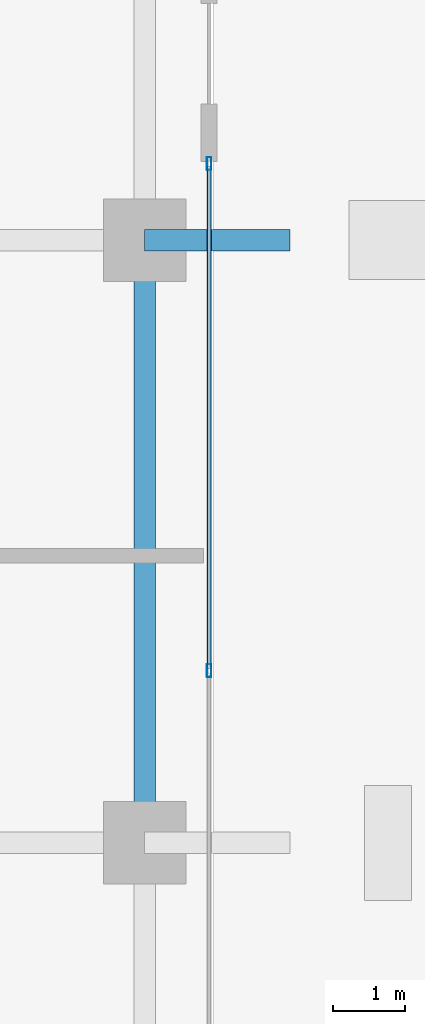
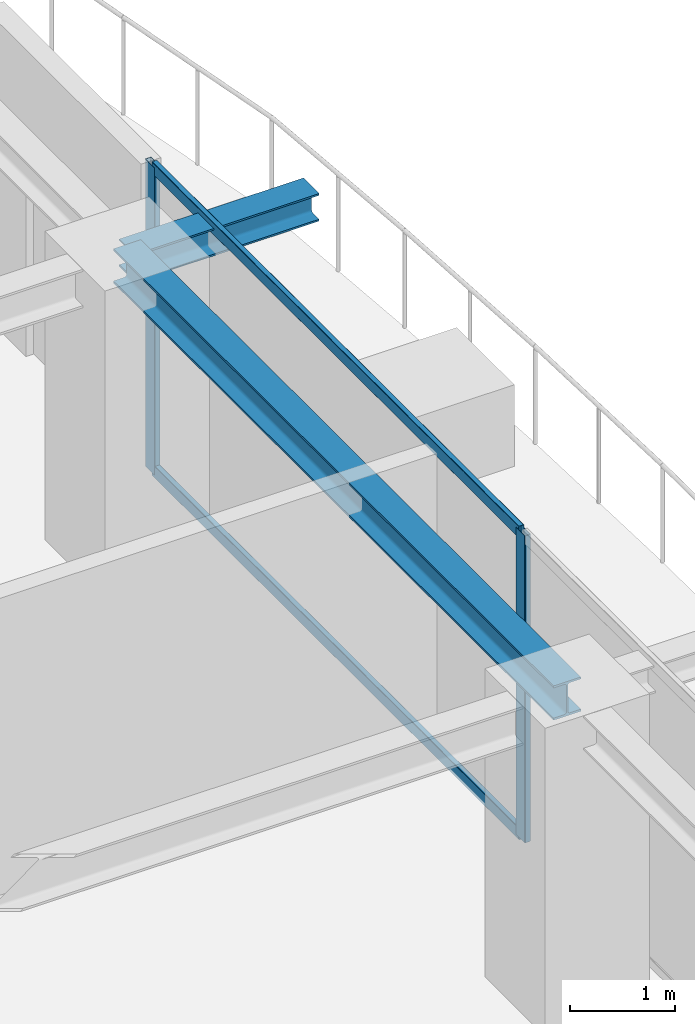
# One storey, part 15 of 37: 4 members, 2 beams, 1 element without a shape of its own.
"""IFC4 building model written with IfcOpenShell, lengths in metres."""

from ifc_helpers import new_model, si_unit, direction, frame, origin, origin_2d, place, context, subcontext, project, spatial, hollow_rectangle, i_section, extrude, source, transform, mapped, material, layer, layer_set, material_profile, profile_set, type_object, element, aggregate, save


model = new_model("IFC4")

# Units and contexts
model_context = context("Model", 3, precision=1e-05, world=origin(), true_north=direction((0.0, 1.0)))
body_context = subcontext(model_context, "Body", "Model", "MODEL_VIEW")
ifc_project = project(units=[si_unit("LENGTHUNIT", "METRE"), si_unit("AREAUNIT", "SQUARE_METRE"), si_unit("VOLUMEUNIT", "CUBIC_METRE"), si_unit("PLANEANGLEUNIT", "RADIAN"), si_unit("MASSUNIT", "GRAM", prefix="KILO")], contexts=[model_context])

# Site, building, storey
site_placement = place(None, origin())
site = spatial("IfcSite", under=ifc_project, at=site_placement, CompositionType="ELEMENT")
building_placement = place(site_placement, origin())
building = spatial("IfcBuilding", under=site, at=building_placement, Name="Serunith Strait Residences", CompositionType="ELEMENT")
storey_placement = place(building_placement, frame((0.0, 0.0, 279.75)))
storey = spatial("IfcBuildingStorey", under=building, at=storey_placement, Name="L70", CompositionType="ELEMENT", Elevation=279.75)

# Beams
ifc_material_1 = material(Name="Steel S355J2", Category="steel")
ifc_material_profile_1 = material_profile(ifc_material_1, i_section(OverallWidth=0.300048828125, OverallDepth=0.39990234375, WebThickness=0.013427734375, FlangeThickness=0.02392578125, FilletRadius=0.027099609375, at=origin_2d()), Name="HEB 400")
ifc_profile_set_1 = profile_set([ifc_material_profile_1], Name="Steel S355J2")
beam_type_1 = type_object("IfcBeamType", Name="BM-HEB400", PredefinedType="BEAM", material=ifc_profile_set_1)
shared_shape_1 = source(origin(), body_context, "Body", "SweptSolid", [
    extrude(i_section(OverallWidth=0.300048828125, OverallDepth=0.39990234375, WebThickness=0.013427734375, FlangeThickness=0.02392578125, FilletRadius=0.027099609375, at=origin_2d()), origin(), (0.0, 0.0, 1.0), 8.39990234375),
])
beam_1_placement = place(storey_placement, frame((56.5, 21.0, 3.386962890625), z_axis=(0.0, 1.0, 0.0), x_axis=(-1.0, 0.0, 0.0)))
element("IfcBeam", 1, at=beam_1_placement, inside=storey, type_object=beam_type_1, Name="L70 Perimeter Ring Beam 06", PredefinedType="BEAM", context=body_context, shape_type="MappedRepresentation", body=[
    mapped(shared_shape_1, transform((0.0, 0.0, 0.0), scale=1.0)),
])
ifc_material_profile_2 = material_profile(ifc_material_1, i_section(OverallWidth=0.300048828125, OverallDepth=0.320068359375, WebThickness=0.011474609375, FlangeThickness=0.0205078125, FilletRadius=0.027099609375, at=origin_2d()), Name="HEB 320")
ifc_profile_set_2 = profile_set([ifc_material_profile_2], Name="Steel S355J2")
beam_type_2 = type_object("IfcBeamType", Name="BM-HEB320", PredefinedType="BEAM", material=ifc_profile_set_2)
shared_shape_2 = source(origin(), body_context, "Body", "SweptSolid", [
    extrude(i_section(OverallWidth=0.300048828125, OverallDepth=0.320068359375, WebThickness=0.011474609375, FlangeThickness=0.0205078125, FilletRadius=0.027099609375, at=origin_2d()), origin(), (0.0, 0.0, 1.0), 2.030029296875),
])
beam_2_placement = place(storey_placement, frame((56.5, 29.39990234375, 3.39697265625), z_axis=(1.0, 0.0, 0.0), x_axis=(0.0, 1.0, 0.0)))
element("IfcBeam", 2, at=beam_2_placement, inside=storey, type_object=beam_type_2, Name="L71 Cantilevered Balcony Rib TC-E3", PredefinedType="BEAM", context=body_context, shape_type="MappedRepresentation", body=[
    mapped(shared_shape_2, transform((0.0, 0.0, 0.0), scale=1.0)),
])

# Curtain wall, members
ifc_material_2 = material(Name="Pale-Champagne Anodised Aluminium", Category="aluminium")
ifc_layer = layer(ifc_material_2, 0.199951171875, Name="Pale-Champagne Anodised Aluminium")
ifc_layer_set = layer_set([ifc_layer], Name="Pale-Champagne Anodised Aluminium")
curtain_wall_type = type_object("IfcCurtainWallType", Name="CW-SYS4", PredefinedType="NOTDEFINED", material=ifc_layer_set)
curtain_wall_placement = place(storey_placement, origin())
curtain_wall = element("IfcCurtainWall", 3, at=curtain_wall_placement, inside=storey, type_object=curtain_wall_type, Name="L70 E Unitised Fritted Curtain Wall", PredefinedType="NOTDEFINED")
ifc_material_profile_3 = material_profile(ifc_material_2, hollow_rectangle(XDim=0.06494140625, YDim=0.179931640625, WallThickness=0.00341796875, InnerFilletRadius=0.00537109375, OuterFilletRadius=0.0087890625, at=origin_2d()), Name="ALU 180x65x3.5")
ifc_profile_set_3 = profile_set([ifc_material_profile_3], Name="Pale-Champagne Anodised Aluminium")
member_type_1 = type_object("IfcMemberType", Name="CW-SYS4-MULL", PredefinedType="MULLION", material=ifc_profile_set_3)
shared_shape_3 = source(origin(), body_context, "Body", "SweptSolid", [
    extrude(hollow_rectangle(XDim=0.06494140625, YDim=0.179931640625, WallThickness=0.00341796875, InnerFilletRadius=0.00537109375, OuterFilletRadius=0.0087890625, at=origin_2d()), origin(), (0.0, 0.0, 1.0), 3.574951171875),
])
member_1_placement = place(storey_placement, frame((57.39990234375, 23.39990234375, 0.0), z_axis=(0.0, 0.0, 1.0), x_axis=(-1.0, 0.0, 0.0)))
member_1 = element("IfcMember", 4, at=member_1_placement, type_object=member_type_1, Name="CW-4 mullion 3", PredefinedType="MULLION", context=body_context, shape_type="MappedRepresentation", body=[
    mapped(shared_shape_3, transform((0.0, 0.0, 0.0), scale=1.0)),
])
member_2_placement = place(storey_placement, frame((57.39990234375, 30.467529296875, 0.0), z_axis=(0.0, 0.0, 1.0), x_axis=(-1.0, 0.0, 0.0)))
member_2 = element("IfcMember", 5, at=member_2_placement, type_object=member_type_1, Name="CW-4 mullion 4", PredefinedType="MULLION", context=body_context, shape_type="MappedRepresentation", body=[
    mapped(shared_shape_3, transform((0.0, 0.0, 0.0), scale=1.0)),
])
ifc_material_profile_4 = material_profile(ifc_material_2, hollow_rectangle(XDim=0.06005859375, YDim=0.139892578125, WallThickness=0.00341796875, InnerFilletRadius=0.00537109375, OuterFilletRadius=0.0087890625, at=origin_2d()), Name="ALU 140x60x3.5")
ifc_profile_set_4 = profile_set([ifc_material_profile_4], Name="Pale-Champagne Anodised Aluminium")
member_type_2 = type_object("IfcMemberType", Name="CW-SYS4-TRAN", PredefinedType="USERDEFINED", material=ifc_profile_set_4)
shared_shape_4 = source(origin(), body_context, "Body", "SweptSolid", [
    extrude(hollow_rectangle(XDim=0.06005859375, YDim=0.139892578125, WallThickness=0.00341796875, InnerFilletRadius=0.00537109375, OuterFilletRadius=0.0087890625, at=origin_2d()), origin(), (0.0, 0.0, 1.0), 7.00244140625),
])
member_3_placement = place(storey_placement, frame((57.39990234375, 23.4326171875, 0.030029296875), z_axis=(0.0, 1.0, 0.0), x_axis=(-1.0, 0.0, 0.0)))
member_3 = element("IfcMember", 6, at=member_3_placement, type_object=member_type_2, Name="CW-4 transom 3.1", ObjectType="TRANSOM", PredefinedType="USERDEFINED", context=body_context, shape_type="MappedRepresentation", body=[
    mapped(shared_shape_4, transform((0.0, 0.0, 0.0), scale=1.0)),
])
member_4_placement = place(storey_placement, frame((57.39990234375, 23.4326171875, 3.544921875), z_axis=(0.0, 1.0, 0.0), x_axis=(-1.0, 0.0, 0.0)))
member_4 = element("IfcMember", 7, at=member_4_placement, type_object=member_type_2, Name="CW-4 transom 3.2", ObjectType="TRANSOM", PredefinedType="USERDEFINED", context=body_context, shape_type="MappedRepresentation", body=[
    mapped(shared_shape_4, transform((0.0, 0.0, 0.0), scale=1.0)),
])
aggregate(curtain_wall, [member_1, member_2, member_3, member_4])

save(model, "model.ifc")
